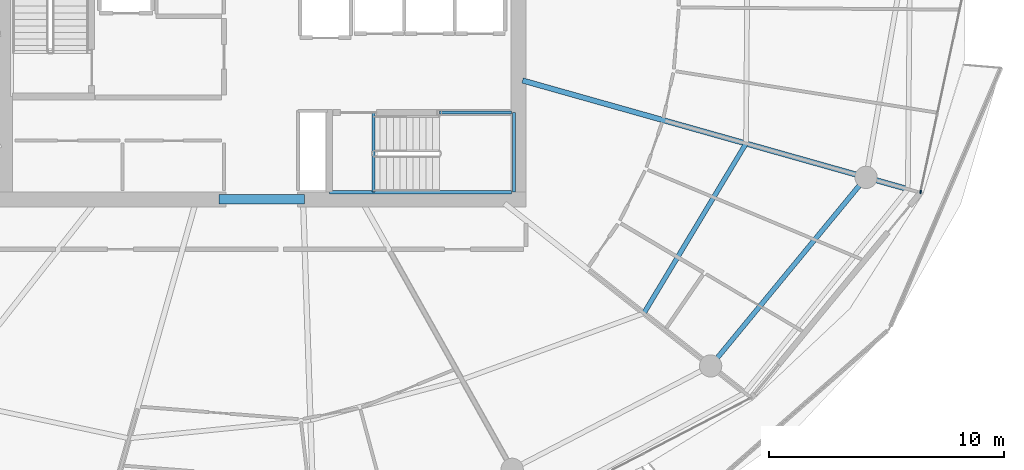
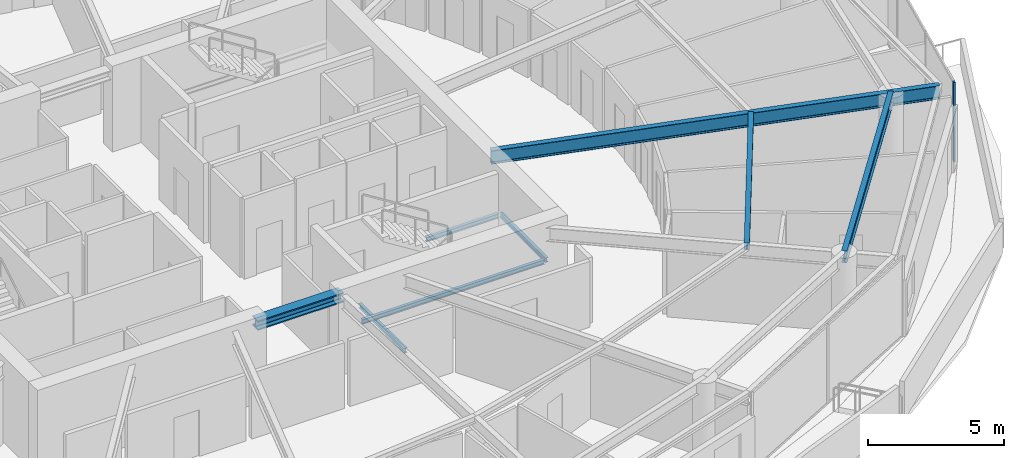
# One storey, part 10 of 31: 8 beams, 1 member, 1 element without a shape of its own.
"""IFC4 building model written with IfcOpenShell, lengths in metres."""

from ifc_helpers import new_model, si_unit, direction, frame, origin, origin_2d, place, context, subcontext, project, spatial, rectangle, i_section, extrude, material, layer, layer_set, material_profile, profile_set, type_object, element, aggregate, save


model = new_model("IFC4")

# Units and contexts
model_context = context("Model", 3, precision=1e-05, world=origin(), true_north=direction((0.0, 1.0)))
body_context = subcontext(model_context, "Body", "Model", "MODEL_VIEW")
ifc_project = project(units=[si_unit("LENGTHUNIT", "METRE"), si_unit("AREAUNIT", "SQUARE_METRE"), si_unit("VOLUMEUNIT", "CUBIC_METRE"), si_unit("PLANEANGLEUNIT", "RADIAN"), si_unit("MASSUNIT", "GRAM", prefix="KILO")], contexts=[model_context])

# Site, building, storey
site_placement = place(None, origin())
site = spatial("IfcSite", under=ifc_project, at=site_placement, CompositionType="ELEMENT")
building_placement = place(site_placement, origin())
building = spatial("IfcBuilding", under=site, at=building_placement, Name="Kazma Halo Residences", CompositionType="ELEMENT")
storey_placement = place(building_placement, frame((0.0, 0.0, 259.800048828125)))
storey = spatial("IfcBuildingStorey", under=building, at=storey_placement, Name="L65", CompositionType="ELEMENT", Elevation=259.800048828125)

# Beams
ifc_material_1 = material(Name="Steel S355", Category="steel")
ifc_material_profile_1 = material_profile(ifc_material_1, i_section(OverallWidth=0.408935546875, OverallDepth=0.425048828125, WebThickness=0.03271484375, FlangeThickness=0.052490234375, FilletRadius=0.02001953125, at=origin_2d()), Name="W360x421")
ifc_profile_set_1 = profile_set([ifc_material_profile_1], Name="Steel S355")
beam_type_1 = type_object("IfcBeamType", Name="BM-CORE-W360H", PredefinedType="BEAM", material=ifc_profile_set_1)
beam_1_placement = place(storey_placement, frame((46.60009765625, 33.675048828125, 3.37744140625), z_axis=(1.0, 0.0, 0.0), x_axis=(0.0, 1.0, 0.0)))
element("IfcBeam", 1, at=beam_1_placement, inside=storey, type_object=beam_type_1, Name="L65 core coupling beam S", PredefinedType="BEAM", context=body_context, shape_type="SweptSolid", body=[
    extrude(i_section(OverallWidth=0.408935546875, OverallDepth=0.425048828125, WebThickness=0.03271484375, FlangeThickness=0.052490234375, FilletRadius=0.02001953125, at=origin_2d()), origin(), (0.0, 0.0, 1.0), 3.64990234375),
])
ifc_material_profile_2 = material_profile(ifc_material_1, i_section(OverallWidth=0.22802734375, OverallDepth=0.60791015625, WebThickness=0.01123046875, FlangeThickness=0.017333984375, FilletRadius=0.01806640625, at=origin_2d()), Name="W610x113")
ifc_profile_set_2 = profile_set([ifc_material_profile_2], Name="Steel S355")
beam_type_2 = type_object("IfcBeamType", Name="BM-RAD-W610", PredefinedType="BEAM", material=ifc_profile_set_2)
beam_2_placement = place(storey_placement, frame((59.550048828125, 38.74267578125, 3.285888671875), z_axis=(0.96245092213, -0.271455746837, 0.0), x_axis=(0.271455746837, 0.96245092213, 0.0)))
element("IfcBeam", 2, at=beam_2_placement, inside=storey, type_object=beam_type_2, Name="L65 radial floor beam 15", PredefinedType="BEAM", context=body_context, shape_type="SweptSolid", body=[
    extrude(i_section(OverallWidth=0.22802734375, OverallDepth=0.60791015625, WebThickness=0.01123046875, FlangeThickness=0.017333984375, FilletRadius=0.01806640625, at=origin_2d()), origin(), (0.0, 0.0, 1.0), 17.06201171875),
])
ifc_material_profile_3 = material_profile(ifc_material_1, i_section(OverallWidth=0.202880859375, OverallDepth=0.302978515625, WebThickness=0.007568359375, FlangeThickness=0.01318359375, FilletRadius=0.013916015625, at=origin_2d()), Name="W310x60")
ifc_profile_set_3 = profile_set([ifc_material_profile_3], Name="Steel S355")
beam_type_3 = type_object("IfcBeamType", Name="BM-SEC-W310A", PredefinedType="JOIST", material=ifc_profile_set_3)
beam_3_placement = place(storey_placement, frame((64.719482421875, 28.8193359375, 3.4384765625), z_axis=(0.515604761061, 0.856826546257, 0.0), x_axis=(-0.856826546257, 0.515604761061, 0.0)))
element("IfcBeam", 3, at=beam_3_placement, inside=storey, type_object=beam_type_3, Name="L65 circumferential floor joist 14", PredefinedType="JOIST", context=body_context, shape_type="SweptSolid", body=[
    extrude(i_section(OverallWidth=0.202880859375, OverallDepth=0.302978515625, WebThickness=0.007568359375, FlangeThickness=0.01318359375, FilletRadius=0.013916015625, at=origin_2d()), origin(), (0.0, 0.0, 1.0), 8.4462890625),
])
ifc_material_profile_4 = material_profile(ifc_material_1, i_section(OverallWidth=0.208984375, OverallDepth=0.532958984375, WebThickness=0.01025390625, FlangeThickness=0.015625, FilletRadius=0.01611328125, at=origin_2d()), Name="W530x92")
ifc_profile_set_4 = profile_set([ifc_material_profile_4], Name="Steel S355")
beam_type_4 = type_object("IfcBeamType", Name="BM-SPN-W530", PredefinedType="BEAM", material=ifc_profile_set_4)
beam_4_placement = place(storey_placement, frame((67.566162109375, 26.5751953125, 3.323486328125), z_axis=(0.636002144225, 0.771687289348, 0.0), x_axis=(-0.771687289348, 0.636002144225, 0.0)))
element("IfcBeam", 4, at=beam_4_placement, inside=storey, type_object=beam_type_4, Name="L65 perimeter ring beam 14", PredefinedType="BEAM", context=body_context, shape_type="SweptSolid", body=[
    extrude(i_section(OverallWidth=0.208984375, OverallDepth=0.532958984375, WebThickness=0.01025390625, FlangeThickness=0.015625, FilletRadius=0.01611328125, at=origin_2d()), origin(), (0.0, 0.0, 1.0), 10.416259765625),
])
ifc_material_profile_5 = material_profile(ifc_material_1, i_section(OverallWidth=0.133056640625, OverallDepth=0.20703125, WebThickness=0.005859375, FlangeThickness=0.00830078125, FilletRadius=0.010009765625, at=origin_2d()), Name="W200x26.6")
ifc_profile_set_5 = profile_set([ifc_material_profile_5], Name="Steel S355")
beam_type_5 = type_object("IfcBeamType", Name="BM-TRIM-W200", PredefinedType="BEAM", material=ifc_profile_set_5)
beam_5_placement = place(storey_placement, frame((53.199951171875, 34.0, -0.3701171875), z_axis=(0.0, 1.0, 0.0), x_axis=(-1.0, 0.0, 0.0)))
element("IfcBeam", 5, at=beam_5_placement, inside=storey, type_object=beam_type_5, Name="L65 ST-03 floor landing support beam", PredefinedType="BEAM", context=body_context, shape_type="SweptSolid", body=[
    extrude(i_section(OverallWidth=0.133056640625, OverallDepth=0.20703125, WebThickness=0.005859375, FlangeThickness=0.00830078125, FilletRadius=0.010009765625, at=origin_2d()), origin(), (0.0, 0.0, 1.0), 3.3798828125),
])
beam_6_placement = place(storey_placement, frame((51.31005859375, 33.97998046875, 1.619873046875), z_axis=(1.0, 0.0, 0.0), x_axis=(0.0, 1.0, 0.0)))
element("IfcBeam", 6, at=beam_6_placement, inside=storey, type_object=beam_type_5, Name="L65 ST-03 landing south wall ledger", PredefinedType="BEAM", context=body_context, shape_type="SweptSolid", body=[
    extrude(i_section(OverallWidth=0.133056640625, OverallDepth=0.20703125, WebThickness=0.005859375, FlangeThickness=0.00830078125, FilletRadius=0.010009765625, at=origin_2d()), origin(), (0.0, 0.0, 1.0), 7.760009765625),
])
beam_7_placement = place(storey_placement, frame((56.0, 37.3798828125, 1.619873046875), z_axis=(1.0, 0.0, 0.0), x_axis=(0.0, 1.0, 0.0)))
element("IfcBeam", 7, at=beam_7_placement, inside=storey, type_object=beam_type_5, Name="L65 ST-03 landing north wall ledger", PredefinedType="BEAM", context=body_context, shape_type="SweptSolid", body=[
    extrude(i_section(OverallWidth=0.133056640625, OverallDepth=0.20703125, WebThickness=0.005859375, FlangeThickness=0.00830078125, FilletRadius=0.010009765625, at=origin_2d()), origin(), (0.0, 0.0, 1.0), 3.070068359375),
])
beam_8_placement = place(storey_placement, frame((59.18994140625, 33.97998046875, 1.619873046875), z_axis=(0.0, 1.0, 0.0), x_axis=(-1.0, 0.0, 0.0)))
element("IfcBeam", 8, at=beam_8_placement, inside=storey, type_object=beam_type_5, Name="L65 ST-03 landing end wall ledger", PredefinedType="BEAM", context=body_context, shape_type="SweptSolid", body=[
    extrude(i_section(OverallWidth=0.133056640625, OverallDepth=0.20703125, WebThickness=0.005859375, FlangeThickness=0.00830078125, FilletRadius=0.010009765625, at=origin_2d()), origin(), (0.0, 0.0, 1.0), 3.39990234375),
])

# Curtain wall, member
ifc_material_2 = material(Name="Aluminium AW-6063 T6 and Triple-Silver Low-E Glass", Category="aluminium")
ifc_layer = layer(ifc_material_2, 0.139892578125)
ifc_layer_set = layer_set([ifc_layer], Name="Aluminium AW-6063 T6 and Triple-Silver Low-E Glass")
curtain_wall_type = type_object("IfcCurtainWallType", Name="CW-SYS-5", PredefinedType="NOTDEFINED", material=ifc_layer_set)
curtain_wall_placement = place(storey_placement, origin())
curtain_wall = element("IfcCurtainWall", 9, at=curtain_wall_placement, inside=storey, type_object=curtain_wall_type, Name="L65 unitised curtain wall B15", PredefinedType="NOTDEFINED")
ifc_material_3 = material(Name="Aluminium AW-6063 T6", Category="aluminium")
ifc_material_profile_6 = material_profile(ifc_material_3, rectangle(XDim=0.06005859375, YDim=0.139892578125, at=origin_2d()), Name="CWM-60x140")
ifc_profile_set_6 = profile_set([ifc_material_profile_6], Name="Aluminium AW-6063 T6")
member_type = type_object("IfcMemberType", Name="CW-SYS-5-MUL", PredefinedType="MULLION", material=ifc_profile_set_6)
member_placement = place(storey_placement, frame((76.514892578125, 33.989013671875, 0.0), z_axis=(0.0, 0.0, 1.0), x_axis=(-0.97777491373, 0.209657382603, 0.0)))
member = element("IfcMember", 10, at=member_placement, type_object=member_type, Name="CWS-5 mullion 1", PredefinedType="MULLION", context=body_context, shape_type="SweptSolid", body=[
    extrude(rectangle(XDim=0.06005859375, YDim=0.139892578125, at=origin_2d()), origin(), (0.0, 0.0, 1.0), 3.58984375),
])
aggregate(curtain_wall, [member])

save(model, "model.ifc")
